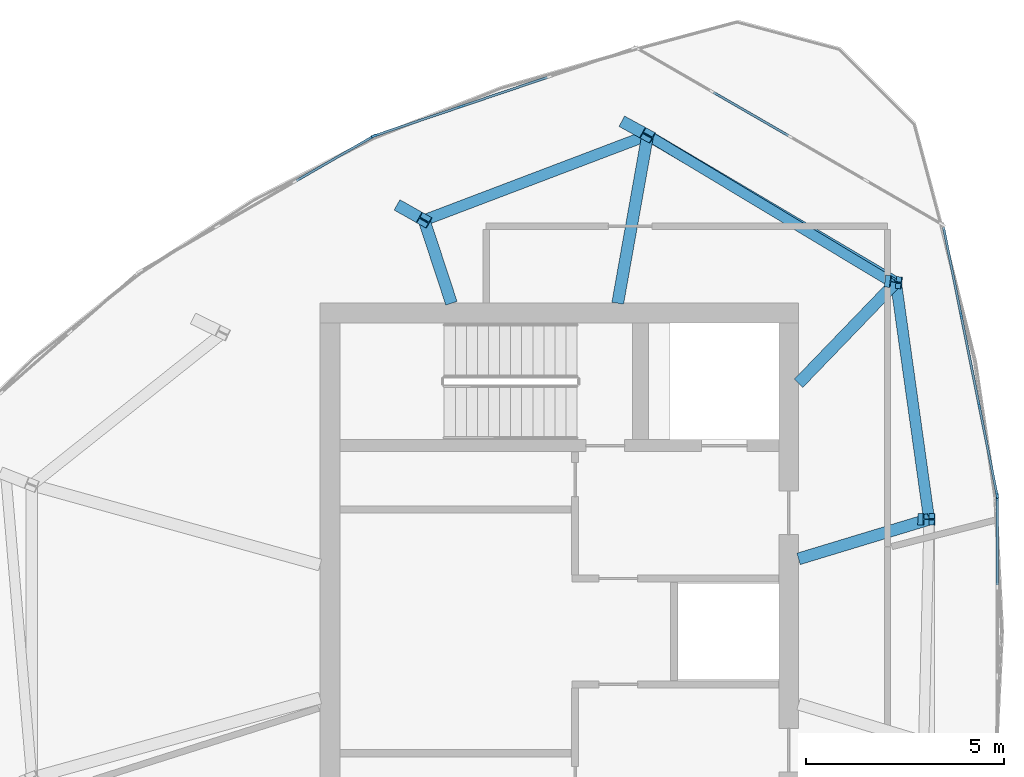
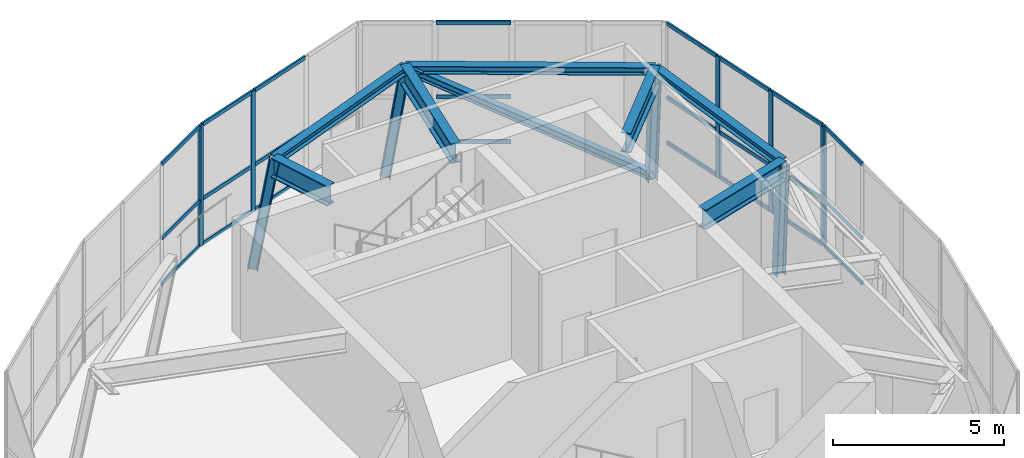
# One storey, part 4 of 11: 39 members, 4 beams, 5 elements without a shape of their own.
"""IFC4 building model written with IfcOpenShell, lengths in metres."""

from ifc_helpers import new_model, si_unit, direction, frame, origin, origin_2d, place, context, subcontext, project, spatial, rectangle, i_section, extrude, source, transform, mapped, material, layer, layer_set, material_profile, profile_set, type_object, element, aggregate, save


model = new_model("IFC4")

# Units and contexts
model_context = context("Model", 3, precision=1e-05, world=origin(), true_north=direction((0.0, 1.0)))
body_context = subcontext(model_context, "Body", "Model", "MODEL_VIEW")
ifc_project = project(units=[si_unit("LENGTHUNIT", "METRE"), si_unit("AREAUNIT", "SQUARE_METRE"), si_unit("VOLUMEUNIT", "CUBIC_METRE"), si_unit("PLANEANGLEUNIT", "RADIAN"), si_unit("MASSUNIT", "GRAM", prefix="KILO")], contexts=[model_context])

# Site, building, storey
site_placement = place(None, origin())
site = spatial("IfcSite", under=ifc_project, at=site_placement, CompositionType="ELEMENT")
building_placement = place(site_placement, origin())
building = spatial("IfcBuilding", under=site, at=building_placement, Name="Qafzar Sky-Pleat Residences", CompositionType="ELEMENT")
storey_placement = place(building_placement, frame((0.0, 0.0, 257.5)))
storey = spatial("IfcBuildingStorey", under=building, at=storey_placement, Name="L77 Crown", CompositionType="ELEMENT", Elevation=257.5)

# Members
ifc_material_1 = material(Name="Steel S460", Category="steel")
ifc_material_profile_1 = material_profile(ifc_material_1, i_section(OverallWidth=0.300048828125, OverallDepth=0.300048828125, WebThickness=0.010986328125, FlangeThickness=0.01904296875, FilletRadius=0.027099609375, at=origin_2d()), Name="HEB 300")
ifc_profile_set_1 = profile_set([ifc_material_profile_1], Name="Steel S460")
member_type_1 = type_object("IfcMemberType", Name="MEM-CROWN-RIB", PredefinedType="CHORD", material=ifc_profile_set_1)
shared_shape_1 = source(origin(), body_context, "Body", "SweptSolid", [
    extrude(i_section(OverallWidth=0.300048828125, OverallDepth=0.300048828125, WebThickness=0.010986328125, FlangeThickness=0.01904296875, FilletRadius=0.027099609375, at=origin_2d()), origin(), (0.0, 0.0, 1.0), 3.898193359375),
])
member_1_placement = place(storey_placement, frame((38.73291015625, 34.844970703125, 0.0), z_axis=(0.033318716266, -0.00413352495, 0.99943622964), x_axis=(0.123116331212, 0.99239224553, 0.0)))
element("IfcMember", 1, at=member_1_placement, inside=storey, type_object=member_type_1, Name="L77 Crown CROWN FRAME Inclined Rib 9", PredefinedType="CHORD", context=body_context, shape_type="MappedRepresentation", body=[
    mapped(shared_shape_1, transform((0.0, 0.0, 0.0), x_axis=(1.0, 0.0, 0.0), y_axis=(0.0, 1.0, 0.0), z_axis=(0.0, 0.0, 1.0), scale=1.0)),
])
shared_shape_2 = source(origin(), body_context, "Body", "SweptSolid", [
    extrude(i_section(OverallWidth=0.300048828125, OverallDepth=0.300048828125, WebThickness=0.010986328125, FlangeThickness=0.01904296875, FilletRadius=0.027099609375, at=origin_2d()), origin(), (0.0, 0.0, 1.0), 3.8984375),
])
member_2_placement = place(storey_placement, frame((39.564453125, 28.838134765625, 0.0), z_axis=(0.034945429774, -0.000250504873, 0.999389190549), x_axis=(0.007168274606, 0.99997430759, 0.0)))
element("IfcMember", 2, at=member_2_placement, inside=storey, type_object=member_type_1, Name="L77 Crown CROWN FRAME Inclined Rib 8", PredefinedType="CHORD", context=body_context, shape_type="MappedRepresentation", body=[
    mapped(shared_shape_2, transform((0.0, 0.0, 0.0), x_axis=(1.0, 0.0, 0.0), y_axis=(0.0, 1.0, 0.0), z_axis=(0.0, 0.0, 1.0), scale=1.0)),
])
shared_shape_3 = source(origin(), body_context, "Body", "SweptSolid", [
    extrude(i_section(OverallWidth=0.300048828125, OverallDepth=0.300048828125, WebThickness=0.010986328125, FlangeThickness=0.01904296875, FilletRadius=0.027099609375, at=origin_2d()), origin(), (0.0, 0.0, 1.0), 3.9482421875),
])
member_3_placement = place(storey_placement, frame((26.375244140625, 36.7138671875, 0.0), z_axis=(0.141291723016, -0.079704608739, 0.986754186387), x_axis=(0.491328601201, 0.870974285293, 0.0)))
element("IfcMember", 3, at=member_3_placement, inside=storey, type_object=member_type_1, Name="L77 Crown CROWN FRAME Inclined Rib 11", PredefinedType="CHORD", context=body_context, shape_type="MappedRepresentation", body=[
    mapped(shared_shape_3, transform((0.0, 0.0, 0.0), x_axis=(1.0, 0.0, 0.0), y_axis=(0.0, 1.0, 0.0), z_axis=(0.0, 0.0, 1.0), scale=1.0)),
])
shared_shape_4 = source(origin(), body_context, "Body", "SweptSolid", [
    extrude(i_section(OverallWidth=0.300048828125, OverallDepth=0.300048828125, WebThickness=0.010986328125, FlangeThickness=0.01904296875, FilletRadius=0.027099609375, at=origin_2d()), origin(), (0.0, 0.0, 1.0), 3.941162109375),
])
member_4_placement = place(storey_placement, frame((32.060302734375, 38.830078125, 0.0), z_axis=(0.132627121481, -0.07210554386, 0.98853974993), x_axis=(0.477644159148, 0.878553388948, 0.0)))
element("IfcMember", 4, at=member_4_placement, inside=storey, type_object=member_type_1, Name="L77 Crown CROWN FRAME Inclined Rib 10", PredefinedType="CHORD", context=body_context, shape_type="MappedRepresentation", body=[
    mapped(shared_shape_4, transform((0.0, 0.0, 0.0), x_axis=(1.0, 0.0, 0.0), y_axis=(0.0, 1.0, 0.0), z_axis=(0.0, 0.0, 1.0), scale=1.0)),
])
ifc_material_2 = material(Name="Steel S355", Category="steel")
ifc_material_profile_2 = material_profile(ifc_material_2, i_section(OverallWidth=0.280029296875, OverallDepth=0.280029296875, WebThickness=0.010498046875, FlangeThickness=0.01806640625, FilletRadius=0.02392578125, at=origin_2d()), Name="HEB 280")
ifc_profile_set_2 = profile_set([ifc_material_profile_2], Name="Steel S355")
member_type_2 = type_object("IfcMemberType", Name="MEM-CROWN-RING", PredefinedType="PURLIN", material=ifc_profile_set_2)
shared_shape_5 = source(origin(), body_context, "Body", "SweptSolid", [
    extrude(i_section(OverallWidth=0.280029296875, OverallDepth=0.280029296875, WebThickness=0.010498046875, FlangeThickness=0.01806640625, FilletRadius=0.02392578125, at=origin_2d()), origin(), (0.0, 0.0, 1.0), 6.0439453125),
])
member_5_placement = place(storey_placement, frame((32.5830078125, 38.5458984375, 3.906005859375), z_axis=(-0.934796456335, -0.355183875229, 0.0), x_axis=(0.355183875229, -0.934796456335, 0.0)))
element("IfcMember", 5, at=member_5_placement, inside=storey, type_object=member_type_2, Name="L77 Crown CROWN FRAME Ring Beam 10", PredefinedType="PURLIN", context=body_context, shape_type="MappedRepresentation", body=[
    mapped(shared_shape_5, transform((0.0, 0.0, 0.0), x_axis=(1.0, 0.0, 0.0), y_axis=(0.0, 1.0, 0.0), z_axis=(0.0, 0.0, 1.0), scale=1.0)),
])
shared_shape_6 = source(origin(), body_context, "Body", "SweptSolid", [
    extrude(i_section(OverallWidth=0.280029296875, OverallDepth=0.280029296875, WebThickness=0.010498046875, FlangeThickness=0.01806640625, FilletRadius=0.02392578125, at=origin_2d()), origin(), (0.0, 0.0, 1.0), 7.29736328125),
])
member_6_placement = place(storey_placement, frame((38.86279296875, 34.828857421875, 3.906005859375), z_axis=(-0.860550645599, 0.509364885283, 0.0), x_axis=(-0.509364885283, -0.860550645599, 0.0)))
element("IfcMember", 6, at=member_6_placement, inside=storey, type_object=member_type_2, Name="L77 Crown CROWN FRAME Ring Beam 9", PredefinedType="PURLIN", context=body_context, shape_type="MappedRepresentation", body=[
    mapped(shared_shape_6, transform((0.0, 0.0, 0.0), x_axis=(1.0, 0.0, 0.0), y_axis=(0.0, 1.0, 0.0), z_axis=(0.0, 0.0, 1.0), scale=1.0)),
])
shared_shape_7 = source(origin(), body_context, "Body", "SweptSolid", [
    extrude(i_section(OverallWidth=0.280029296875, OverallDepth=0.280029296875, WebThickness=0.010498046875, FlangeThickness=0.01806640625, FilletRadius=0.02392578125, at=origin_2d()), origin(), (0.0, 0.0, 1.0), 6.050048828125),
])
member_7_placement = place(storey_placement, frame((39.70068359375, 28.837158203125, 3.906005859375), z_axis=(-0.138494279914, 0.990363233582, 0.0), x_axis=(-0.990363233582, -0.138494279914, 0.0)))
element("IfcMember", 7, at=member_7_placement, inside=storey, type_object=member_type_2, Name="L77 Crown CROWN FRAME Ring Beam 8", PredefinedType="PURLIN", context=body_context, shape_type="MappedRepresentation", body=[
    mapped(shared_shape_7, transform((0.0, 0.0, 0.0), x_axis=(1.0, 0.0, 0.0), y_axis=(0.0, 1.0, 0.0), z_axis=(0.0, 0.0, 1.0), scale=1.0)),
])
ifc_material_profile_3 = material_profile(ifc_material_2, i_section(OverallWidth=0.260009765625, OverallDepth=0.260009765625, WebThickness=0.010009765625, FlangeThickness=0.017578125, FilletRadius=0.02392578125, at=origin_2d()), Name="HEB 260")
ifc_profile_set_3 = profile_set([ifc_material_profile_3], Name="Steel S355")
member_type_3 = type_object("IfcMemberType", Name="MEM-CROWN-DIAG", PredefinedType="BRACE", material=ifc_profile_set_3)
shared_shape_8 = source(origin(), body_context, "Body", "SweptSolid", [
    extrude(i_section(OverallWidth=0.260009765625, OverallDepth=0.260009765625, WebThickness=0.010009765625, FlangeThickness=0.017578125, FilletRadius=0.02392578125, at=origin_2d()), origin(), (0.0, 0.0, 1.0), 8.08251953125),
])
member_8_placement = place(storey_placement, frame((38.73291015625, 34.844970703125, 0.199951171875), z_axis=(-0.760888228291, 0.457892205346, 0.459764975102), x_axis=(-0.515620781083, -0.85681690583, 0.0)))
element("IfcMember", 8, at=member_8_placement, inside=storey, type_object=member_type_3, Name="L77 Crown CROWN FRAME Wind Brace 9", PredefinedType="BRACE", context=body_context, shape_type="MappedRepresentation", body=[
    mapped(shared_shape_8, transform((0.0, 0.0, 0.0), x_axis=(1.0, 0.0, 0.0), y_axis=(0.0, 1.0, 0.0), z_axis=(0.0, 0.0, 1.0), scale=1.0)),
])

# Beams
ifc_material_profile_4 = material_profile(ifc_material_1, i_section(OverallWidth=0.300048828125, OverallDepth=0.699951171875, WebThickness=0.01708984375, FlangeThickness=0.031982421875, FilletRadius=0.027099609375, at=origin_2d()), Name="HEB 700")
ifc_profile_set_4 = profile_set([ifc_material_profile_4], Name="Steel S460")
beam_type = type_object("IfcBeamType", Name="BM-CHORD-HEB700", PredefinedType="BEAM", material=ifc_profile_set_4)
shared_shape_9 = source(origin(), body_context, "Body", "SweptSolid", [
    extrude(i_section(OverallWidth=0.300048828125, OverallDepth=0.699951171875, WebThickness=0.01708984375, FlangeThickness=0.031982421875, FilletRadius=0.027099609375, at=origin_2d()), origin(), (0.0, 0.0, 1.0), 2.20947265625),
])
beam_1_placement = place(storey_placement, frame((26.93310546875, 36.399169921875, 3.697998046875), z_axis=(0.312147590213, -0.95003362147, 0.0), x_axis=(0.95003362147, 0.312147590213, 0.0)))
element("IfcBeam", 9, at=beam_1_placement, inside=storey, type_object=beam_type, Name="L78 Crown Crown Rib Base Transfer Beam 11", PredefinedType="BEAM", context=body_context, shape_type="MappedRepresentation", body=[
    mapped(shared_shape_9, transform((0.0, 0.0, 0.0), x_axis=(1.0, 0.0, 0.0), y_axis=(0.0, 1.0, 0.0), z_axis=(0.0, 0.0, 1.0), scale=1.0)),
])
shared_shape_10 = source(origin(), body_context, "Body", "SweptSolid", [
    extrude(i_section(OverallWidth=0.300048828125, OverallDepth=0.699951171875, WebThickness=0.01708984375, FlangeThickness=0.031982421875, FilletRadius=0.027099609375, at=origin_2d()), origin(), (0.0, 0.0, 1.0), 4.3125),
])
beam_2_placement = place(storey_placement, frame((32.5830078125, 38.5458984375, 3.697998046875), z_axis=(-0.175212597054, -0.98453062209, 0.0), x_axis=(0.98453062209, -0.175212597054, 0.0)))
element("IfcBeam", 10, at=beam_2_placement, inside=storey, type_object=beam_type, Name="L78 Crown Crown Rib Base Transfer Beam 10", PredefinedType="BEAM", context=body_context, shape_type="MappedRepresentation", body=[
    mapped(shared_shape_10, transform((0.0, 0.0, 0.0), x_axis=(1.0, 0.0, 0.0), y_axis=(0.0, 1.0, 0.0), z_axis=(0.0, 0.0, 1.0), scale=1.0)),
])
shared_shape_11 = source(origin(), body_context, "Body", "SweptSolid", [
    extrude(i_section(OverallWidth=0.300048828125, OverallDepth=0.699951171875, WebThickness=0.01708984375, FlangeThickness=0.031982421875, FilletRadius=0.027099609375, at=origin_2d()), origin(), (0.0, 0.0, 1.0), 3.548095703125),
])
beam_3_placement = place(storey_placement, frame((38.86279296875, 34.828857421875, 3.697998046875), z_axis=(-0.6941228369, -0.719856574113, 0.0), x_axis=(0.719856574113, -0.6941228369, 0.0)))
element("IfcBeam", 11, at=beam_3_placement, inside=storey, type_object=beam_type, Name="L78 Crown Crown Rib Base Transfer Beam 9", PredefinedType="BEAM", context=body_context, shape_type="MappedRepresentation", body=[
    mapped(shared_shape_11, transform((0.0, 0.0, 0.0), x_axis=(1.0, 0.0, 0.0), y_axis=(0.0, 1.0, 0.0), z_axis=(0.0, 0.0, 1.0), scale=1.0)),
])
shared_shape_12 = source(origin(), body_context, "Body", "SweptSolid", [
    extrude(i_section(OverallWidth=0.300048828125, OverallDepth=0.699951171875, WebThickness=0.01708984375, FlangeThickness=0.031982421875, FilletRadius=0.027099609375, at=origin_2d()), origin(), (0.0, 0.0, 1.0), 3.449462890625),
])
beam_4_placement = place(storey_placement, frame((39.70068359375, 28.837158203125, 3.697998046875), z_axis=(-0.956925532783, -0.290333471559, 0.0), x_axis=(0.290333471559, -0.956925532783, 0.0)))
element("IfcBeam", 12, at=beam_4_placement, inside=storey, type_object=beam_type, Name="L78 Crown Crown Rib Base Transfer Beam 8", PredefinedType="BEAM", context=body_context, shape_type="MappedRepresentation", body=[
    mapped(shared_shape_12, transform((0.0, 0.0, 0.0), x_axis=(1.0, 0.0, 0.0), y_axis=(0.0, 1.0, 0.0), z_axis=(0.0, 0.0, 1.0), scale=1.0)),
])

# Curtain wall, member
ifc_material_3 = material(Name="Anodised bronze aluminium framing", Category="aluminium")
ifc_layer = layer(ifc_material_3, 0.179931640625)
ifc_layer_set = layer_set([ifc_layer], Name="Anodised bronze aluminium framing")
curtain_wall_type = type_object("IfcCurtainWallType", Name="CW-SYS-06", PredefinedType="NOTDEFINED", material=ifc_layer_set)
curtain_wall_1_placement = place(storey_placement, origin())
curtain_wall_1 = element("IfcCurtainWall", 13, at=curtain_wall_1_placement, inside=storey, type_object=curtain_wall_type, Name="L77 Crown CW-06 Curtain Wall CW-CROWN-02-07", PredefinedType="NOTDEFINED")
ifc_material_4 = material(Name="Anodised bronze aluminium", Category="aluminium")
ifc_material_profile_5 = material_profile(ifc_material_4, rectangle(XDim=0.06005859375, YDim=0.179931640625, at=origin_2d()), Name="ALU MULLION 60x180")
ifc_profile_set_5 = profile_set([ifc_material_profile_5], Name="Anodised bronze aluminium")
member_type_4 = type_object("IfcMemberType", Name="CWM-06", PredefinedType="MULLION", material=ifc_profile_set_5)
shared_shape_13 = source(origin(), body_context, "Body", "SweptSolid", [
    extrude(rectangle(XDim=0.06005859375, YDim=0.179931640625, at=origin_2d()), origin(), (0.0, 0.0, 1.0), 4.300048828125),
])
member_9_placement = place(storey_placement, frame((41.423583984375, 29.396728515625, 0.0), z_axis=(0.0, 0.0, 1.0), x_axis=(-1.0, 0.0, 0.0)))
member_9 = element("IfcMember", 14, at=member_9_placement, type_object=member_type_4, Name="CW-06 mullion 4", PredefinedType="MULLION", context=body_context, shape_type="MappedRepresentation", body=[
    mapped(shared_shape_13, transform((0.0, 0.0, 0.0), x_axis=(1.0, 0.0, 0.0), y_axis=(0.0, 1.0, 0.0), z_axis=(0.0, 0.0, 1.0), scale=1.0)),
])

# Curtain wall, members
curtain_wall_2_placement = place(storey_placement, origin())
curtain_wall_2 = element("IfcCurtainWall", 15, at=curtain_wall_2_placement, inside=storey, type_object=curtain_wall_type, Name="L77 Crown CW-06 Curtain Wall CW-CROWN-02-08", PredefinedType="NOTDEFINED")
member_10_placement = place(storey_placement, frame((41.417724609375, 29.456298828125, 0.0), z_axis=(0.0, 0.0, 1.0), x_axis=(-0.980578474476, -0.196127140892, 0.0)))
member_10 = element("IfcMember", 16, at=member_10_placement, type_object=member_type_4, Name="CW-06 mullion 1", PredefinedType="MULLION", context=body_context, shape_type="MappedRepresentation", body=[
    mapped(shared_shape_13, transform((0.0, 0.0, 0.0), x_axis=(1.0, 0.0, 0.0), y_axis=(0.0, 1.0, 0.0), z_axis=(0.0, 0.0, 1.0), scale=1.0)),
])
member_11_placement = place(storey_placement, frame((40.966552734375, 31.71142578125, 0.0), z_axis=(0.0, 0.0, 1.0), x_axis=(-0.980578474476, -0.196127140892, 0.0)))
member_11 = element("IfcMember", 17, at=member_11_placement, type_object=member_type_4, Name="CW-06 mullion 2", PredefinedType="MULLION", context=body_context, shape_type="MappedRepresentation", body=[
    mapped(shared_shape_13, transform((0.0, 0.0, 0.0), x_axis=(1.0, 0.0, 0.0), y_axis=(0.0, 1.0, 0.0), z_axis=(0.0, 0.0, 1.0), scale=1.0)),
])
member_12_placement = place(storey_placement, frame((40.509521484375, 33.995849609375, 0.0), z_axis=(0.0, 0.0, 1.0), x_axis=(-0.980578474476, -0.196127140892, 0.0)))
member_12 = element("IfcMember", 18, at=member_12_placement, type_object=member_type_4, Name="CW-06 mullion 3", PredefinedType="MULLION", context=body_context, shape_type="MappedRepresentation", body=[
    mapped(shared_shape_13, transform((0.0, 0.0, 0.0), x_axis=(1.0, 0.0, 0.0), y_axis=(0.0, 1.0, 0.0), z_axis=(0.0, 0.0, 1.0), scale=1.0)),
])

curtain_wall_3_placement = place(storey_placement, origin())
curtain_wall_3 = element("IfcCurtainWall", 19, at=curtain_wall_3_placement, inside=storey, type_object=curtain_wall_type, Name="L77 Crown CW-06 Curtain Wall CW-CROWN-02-10", PredefinedType="NOTDEFINED")
member_13_placement = place(storey_placement, frame((27.866943359375, 39.2744140625, 0.0), z_axis=(0.0, 0.0, 1.0), x_axis=(0.320448247802, -0.947266024135, 0.0)))
member_13 = element("IfcMember", 20, at=member_13_placement, type_object=member_type_4, Name="CW-06 mullion 3", PredefinedType="MULLION", context=body_context, shape_type="MappedRepresentation", body=[
    mapped(shared_shape_13, transform((0.0, 0.0, 0.0), x_axis=(1.0, 0.0, 0.0), y_axis=(0.0, 1.0, 0.0), z_axis=(0.0, 0.0, 1.0), scale=1.0)),
])
member_14_placement = place(storey_placement, frame((25.6884765625, 38.53759765625, 0.0), z_axis=(0.0, 0.0, 1.0), x_axis=(0.320448247802, -0.947266024135, 0.0)))
member_14 = element("IfcMember", 21, at=member_14_placement, type_object=member_type_4, Name="CW-06 mullion 4", PredefinedType="MULLION", context=body_context, shape_type="MappedRepresentation", body=[
    mapped(shared_shape_13, transform((0.0, 0.0, 0.0), x_axis=(1.0, 0.0, 0.0), y_axis=(0.0, 1.0, 0.0), z_axis=(0.0, 0.0, 1.0), scale=1.0)),
])

# Curtain wall, member
curtain_wall_4_placement = place(storey_placement, origin())
curtain_wall_4 = element("IfcCurtainWall", 22, at=curtain_wall_4_placement, inside=storey, type_object=curtain_wall_type, Name="L77 Crown CW-06 Curtain Wall CW-CROWN-02-11", PredefinedType="NOTDEFINED")
member_15_placement = place(storey_placement, frame((25.634033203125, 38.512939453125, 0.0), z_axis=(0.0, 0.0, 1.0), x_axis=(0.499999476069, -0.866025706276, 0.0)))
member_15 = element("IfcMember", 23, at=member_15_placement, type_object=member_type_4, Name="CW-06 mullion 1", PredefinedType="MULLION", context=body_context, shape_type="MappedRepresentation", body=[
    mapped(shared_shape_13, transform((0.0, 0.0, 0.0), x_axis=(1.0, 0.0, 0.0), y_axis=(0.0, 1.0, 0.0), z_axis=(0.0, 0.0, 1.0), scale=1.0)),
])

# Member
ifc_material_profile_6 = material_profile(ifc_material_4, rectangle(XDim=0.06005859375, YDim=0.135009765625, at=origin_2d()), Name="ALU TRANSOM 60x135")
ifc_profile_set_6 = profile_set([ifc_material_profile_6], Name="Anodised bronze aluminium")
member_type_5 = type_object("IfcMemberType", Name="CWT-06", PredefinedType="USERDEFINED", material=ifc_profile_set_6)
shared_shape_14 = source(origin(), body_context, "Body", "SweptSolid", [
    extrude(rectangle(XDim=0.06005859375, YDim=0.135009765625, at=origin_2d()), origin(), (0.0, 0.0, 1.0), 2.23974609375),
])
member_16_placement = place(storey_placement, frame((41.41162109375, 29.485595703125, 0.030029296875), z_axis=(-0.196095173109, 0.980584867864, 0.0), x_axis=(-0.980584867864, -0.196095173109, 0.0)))
member_16 = element("IfcMember", 24, at=member_16_placement, type_object=member_type_5, Name="CW-06 transom 1.1", ObjectType="TRANSOM", PredefinedType="USERDEFINED", context=body_context, shape_type="MappedRepresentation", body=[
    mapped(shared_shape_14, transform((0.0, 0.0, 0.0), x_axis=(1.0, 0.0, 0.0), y_axis=(0.0, 1.0, 0.0), z_axis=(0.0, 0.0, 1.0), scale=1.0)),
])

member_17_placement = place(storey_placement, frame((41.41162109375, 29.485595703125, 1.634033203125), z_axis=(-0.196095173109, 0.980584867864, 0.0), x_axis=(-0.980584867864, -0.196095173109, 0.0)))
member_17 = element("IfcMember", 25, at=member_17_placement, type_object=member_type_5, Name="CW-06 transom 1.2", ObjectType="TRANSOM", PredefinedType="USERDEFINED", context=body_context, shape_type="MappedRepresentation", body=[
    mapped(shared_shape_14, transform((0.0, 0.0, 0.0), x_axis=(1.0, 0.0, 0.0), y_axis=(0.0, 1.0, 0.0), z_axis=(0.0, 0.0, 1.0), scale=1.0)),
])

member_18_placement = place(storey_placement, frame((41.41162109375, 29.485595703125, 4.27001953125), z_axis=(-0.196095173109, 0.980584867864, 0.0), x_axis=(-0.980584867864, -0.196095173109, 0.0)))
member_18 = element("IfcMember", 26, at=member_18_placement, type_object=member_type_5, Name="CW-06 transom 1.3", ObjectType="TRANSOM", PredefinedType="USERDEFINED", context=body_context, shape_type="MappedRepresentation", body=[
    mapped(shared_shape_14, transform((0.0, 0.0, 0.0), x_axis=(1.0, 0.0, 0.0), y_axis=(0.0, 1.0, 0.0), z_axis=(0.0, 0.0, 1.0), scale=1.0)),
])

member_19_placement = place(storey_placement, frame((40.503662109375, 34.025390625, 0.030029296875), z_axis=(-0.196095173109, 0.980584867864, 0.0), x_axis=(-0.980584867864, -0.196095173109, 0.0)))
member_19 = element("IfcMember", 27, at=member_19_placement, type_object=member_type_5, Name="CW-06 transom 3.1", ObjectType="TRANSOM", PredefinedType="USERDEFINED", context=body_context, shape_type="MappedRepresentation", body=[
    mapped(shared_shape_14, transform((0.0, 0.0, 0.0), x_axis=(1.0, 0.0, 0.0), y_axis=(0.0, 1.0, 0.0), z_axis=(0.0, 0.0, 1.0), scale=1.0)),
])

member_20_placement = place(storey_placement, frame((40.503662109375, 34.025390625, 1.634033203125), z_axis=(-0.196095173109, 0.980584867864, 0.0), x_axis=(-0.980584867864, -0.196095173109, 0.0)))
member_20 = element("IfcMember", 28, at=member_20_placement, type_object=member_type_5, Name="CW-06 transom 3.2", ObjectType="TRANSOM", PredefinedType="USERDEFINED", context=body_context, shape_type="MappedRepresentation", body=[
    mapped(shared_shape_14, transform((0.0, 0.0, 0.0), x_axis=(1.0, 0.0, 0.0), y_axis=(0.0, 1.0, 0.0), z_axis=(0.0, 0.0, 1.0), scale=1.0)),
])

member_21_placement = place(storey_placement, frame((40.503662109375, 34.025390625, 4.27001953125), z_axis=(-0.196095173109, 0.980584867864, 0.0), x_axis=(-0.980584867864, -0.196095173109, 0.0)))
member_21 = element("IfcMember", 29, at=member_21_placement, type_object=member_type_5, Name="CW-06 transom 3.3", ObjectType="TRANSOM", PredefinedType="USERDEFINED", context=body_context, shape_type="MappedRepresentation", body=[
    mapped(shared_shape_14, transform((0.0, 0.0, 0.0), x_axis=(1.0, 0.0, 0.0), y_axis=(0.0, 1.0, 0.0), z_axis=(0.0, 0.0, 1.0), scale=1.0)),
])

member_22_placement = place(storey_placement, frame((27.83837890625, 39.264892578125, 0.030029296875), z_axis=(-0.947256702943, -0.320475800535, 0.0), x_axis=(0.320475800535, -0.947256702943, 0.0)))
member_22 = element("IfcMember", 30, at=member_22_placement, type_object=member_type_5, Name="CW-06 transom 3.1", ObjectType="TRANSOM", PredefinedType="USERDEFINED", context=body_context, shape_type="MappedRepresentation", body=[
    mapped(shared_shape_14, transform((0.0, 0.0, 0.0), x_axis=(1.0, 0.0, 0.0), y_axis=(0.0, 1.0, 0.0), z_axis=(0.0, 0.0, 1.0), scale=1.0)),
])

member_23_placement = place(storey_placement, frame((27.83837890625, 39.264892578125, 1.634033203125), z_axis=(-0.947256702943, -0.320475800535, 0.0), x_axis=(0.320475800535, -0.947256702943, 0.0)))
member_23 = element("IfcMember", 31, at=member_23_placement, type_object=member_type_5, Name="CW-06 transom 3.2", ObjectType="TRANSOM", PredefinedType="USERDEFINED", context=body_context, shape_type="MappedRepresentation", body=[
    mapped(shared_shape_14, transform((0.0, 0.0, 0.0), x_axis=(1.0, 0.0, 0.0), y_axis=(0.0, 1.0, 0.0), z_axis=(0.0, 0.0, 1.0), scale=1.0)),
])

member_24_placement = place(storey_placement, frame((27.83837890625, 39.264892578125, 4.27001953125), z_axis=(-0.947256702943, -0.320475800535, 0.0), x_axis=(0.320475800535, -0.947256702943, 0.0)))
member_24 = element("IfcMember", 32, at=member_24_placement, type_object=member_type_5, Name="CW-06 transom 3.3", ObjectType="TRANSOM", PredefinedType="USERDEFINED", context=body_context, shape_type="MappedRepresentation", body=[
    mapped(shared_shape_14, transform((0.0, 0.0, 0.0), x_axis=(1.0, 0.0, 0.0), y_axis=(0.0, 1.0, 0.0), z_axis=(0.0, 0.0, 1.0), scale=1.0)),
])

shared_shape_15 = source(origin(), body_context, "Body", "SweptSolid", [
    extrude(rectangle(XDim=0.06005859375, YDim=0.135009765625, at=origin_2d()), origin(), (0.0, 0.0, 1.0), 2.269775390625),
])
member_25_placement = place(storey_placement, frame((40.960693359375, 31.74072265625, 0.030029296875), z_axis=(-0.196074767234, 0.980588948364, 0.0), x_axis=(-0.980588948364, -0.196074767234, 0.0)))
member_25 = element("IfcMember", 33, at=member_25_placement, type_object=member_type_5, Name="CW-06 transom 2.1", ObjectType="TRANSOM", PredefinedType="USERDEFINED", context=body_context, shape_type="MappedRepresentation", body=[
    mapped(shared_shape_15, transform((0.0, 0.0, 0.0), x_axis=(1.0, 0.0, 0.0), y_axis=(0.0, 1.0, 0.0), z_axis=(0.0, 0.0, 1.0), scale=1.0)),
])

member_26_placement = place(storey_placement, frame((40.960693359375, 31.74072265625, 1.634033203125), z_axis=(-0.196074767234, 0.980588948364, 0.0), x_axis=(-0.980588948364, -0.196074767234, 0.0)))
member_26 = element("IfcMember", 34, at=member_26_placement, type_object=member_type_5, Name="CW-06 transom 2.2", ObjectType="TRANSOM", PredefinedType="USERDEFINED", context=body_context, shape_type="MappedRepresentation", body=[
    mapped(shared_shape_15, transform((0.0, 0.0, 0.0), x_axis=(1.0, 0.0, 0.0), y_axis=(0.0, 1.0, 0.0), z_axis=(0.0, 0.0, 1.0), scale=1.0)),
])

member_27_placement = place(storey_placement, frame((40.960693359375, 31.74072265625, 4.27001953125), z_axis=(-0.196074767234, 0.980588948364, 0.0), x_axis=(-0.980588948364, -0.196074767234, 0.0)))
member_27 = element("IfcMember", 35, at=member_27_placement, type_object=member_type_5, Name="CW-06 transom 2.3", ObjectType="TRANSOM", PredefinedType="USERDEFINED", context=body_context, shape_type="MappedRepresentation", body=[
    mapped(shared_shape_15, transform((0.0, 0.0, 0.0), x_axis=(1.0, 0.0, 0.0), y_axis=(0.0, 1.0, 0.0), z_axis=(0.0, 0.0, 1.0), scale=1.0)),
])

aggregate(curtain_wall_2, [member_10, member_11, member_12, member_16, member_17, member_18, member_25, member_26, member_27, member_19, member_20, member_21])

member_28_placement = place(storey_placement, frame((30.04541015625, 40.011474609375, 0.030029296875), z_axis=(-0.94727575147, -0.320419491726, 0.0), x_axis=(0.320419491726, -0.94727575147, 0.0)))
member_28 = element("IfcMember", 36, at=member_28_placement, type_object=member_type_5, Name="CW-06 transom 2.1", ObjectType="TRANSOM", PredefinedType="USERDEFINED", context=body_context, shape_type="MappedRepresentation", body=[
    mapped(shared_shape_15, transform((0.0, 0.0, 0.0), x_axis=(1.0, 0.0, 0.0), y_axis=(0.0, 1.0, 0.0), z_axis=(0.0, 0.0, 1.0), scale=1.0)),
])

member_29_placement = place(storey_placement, frame((30.04541015625, 40.011474609375, 1.634033203125), z_axis=(-0.94727575147, -0.320419491726, 0.0), x_axis=(0.320419491726, -0.94727575147, 0.0)))
member_29 = element("IfcMember", 37, at=member_29_placement, type_object=member_type_5, Name="CW-06 transom 2.2", ObjectType="TRANSOM", PredefinedType="USERDEFINED", context=body_context, shape_type="MappedRepresentation", body=[
    mapped(shared_shape_15, transform((0.0, 0.0, 0.0), x_axis=(1.0, 0.0, 0.0), y_axis=(0.0, 1.0, 0.0), z_axis=(0.0, 0.0, 1.0), scale=1.0)),
])

member_30_placement = place(storey_placement, frame((30.04541015625, 40.011474609375, 4.27001953125), z_axis=(-0.94727575147, -0.320419491726, 0.0), x_axis=(0.320419491726, -0.94727575147, 0.0)))
member_30 = element("IfcMember", 38, at=member_30_placement, type_object=member_type_5, Name="CW-06 transom 2.3", ObjectType="TRANSOM", PredefinedType="USERDEFINED", context=body_context, shape_type="MappedRepresentation", body=[
    mapped(shared_shape_15, transform((0.0, 0.0, 0.0), x_axis=(1.0, 0.0, 0.0), y_axis=(0.0, 1.0, 0.0), z_axis=(0.0, 0.0, 1.0), scale=1.0)),
])

aggregate(curtain_wall_3, [member_13, member_14, member_28, member_29, member_30, member_22, member_23, member_24])

shared_shape_16 = source(origin(), body_context, "Body", "SweptSolid", [
    extrude(rectangle(XDim=0.06005859375, YDim=0.135009765625, at=origin_2d()), origin(), (0.0, 0.0, 1.0), 2.1943359375),
])
member_31_placement = place(storey_placement, frame((41.423583984375, 27.17236328125, 0.030029296875), z_axis=(0.0, 1.0, 0.0), x_axis=(-1.0, 0.0, 0.0)))
member_31 = element("IfcMember", 39, at=member_31_placement, type_object=member_type_5, Name="CW-06 transom 3.1", ObjectType="TRANSOM", PredefinedType="USERDEFINED", context=body_context, shape_type="MappedRepresentation", body=[
    mapped(shared_shape_16, transform((0.0, 0.0, 0.0), x_axis=(1.0, 0.0, 0.0), y_axis=(0.0, 1.0, 0.0), z_axis=(0.0, 0.0, 1.0), scale=1.0)),
])

member_32_placement = place(storey_placement, frame((41.423583984375, 27.17236328125, 1.634033203125), z_axis=(0.0, 1.0, 0.0), x_axis=(-1.0, 0.0, 0.0)))
member_32 = element("IfcMember", 40, at=member_32_placement, type_object=member_type_5, Name="CW-06 transom 3.2", ObjectType="TRANSOM", PredefinedType="USERDEFINED", context=body_context, shape_type="MappedRepresentation", body=[
    mapped(shared_shape_16, transform((0.0, 0.0, 0.0), x_axis=(1.0, 0.0, 0.0), y_axis=(0.0, 1.0, 0.0), z_axis=(0.0, 0.0, 1.0), scale=1.0)),
])

member_33_placement = place(storey_placement, frame((41.423583984375, 27.17236328125, 4.27001953125), z_axis=(0.0, 1.0, 0.0), x_axis=(-1.0, 0.0, 0.0)))
member_33 = element("IfcMember", 41, at=member_33_placement, type_object=member_type_5, Name="CW-06 transom 3.3", ObjectType="TRANSOM", PredefinedType="USERDEFINED", context=body_context, shape_type="MappedRepresentation", body=[
    mapped(shared_shape_16, transform((0.0, 0.0, 0.0), x_axis=(1.0, 0.0, 0.0), y_axis=(0.0, 1.0, 0.0), z_axis=(0.0, 0.0, 1.0), scale=1.0)),
])

aggregate(curtain_wall_1, [member_9, member_31, member_32, member_33])

shared_shape_17 = source(origin(), body_context, "Body", "SweptSolid", [
    extrude(rectangle(XDim=0.06005859375, YDim=0.135009765625, at=origin_2d()), origin(), (0.0, 0.0, 1.0), 2.194580078125),
])
member_34_placement = place(storey_placement, frame((25.608154296875, 38.497802734375, 0.030029296875), z_axis=(-0.866057765686, -0.499943943352, 0.0), x_axis=(0.499943943352, -0.866057765686, 0.0)))
member_34 = element("IfcMember", 42, at=member_34_placement, type_object=member_type_5, Name="CW-06 transom 1.1", ObjectType="TRANSOM", PredefinedType="USERDEFINED", context=body_context, shape_type="MappedRepresentation", body=[
    mapped(shared_shape_17, transform((0.0, 0.0, 0.0), x_axis=(1.0, 0.0, 0.0), y_axis=(0.0, 1.0, 0.0), z_axis=(0.0, 0.0, 1.0), scale=1.0)),
])

member_35_placement = place(storey_placement, frame((25.608154296875, 38.497802734375, 1.634033203125), z_axis=(-0.866057765686, -0.499943943352, 0.0), x_axis=(0.499943943352, -0.866057765686, 0.0)))
member_35 = element("IfcMember", 43, at=member_35_placement, type_object=member_type_5, Name="CW-06 transom 1.2", ObjectType="TRANSOM", PredefinedType="USERDEFINED", context=body_context, shape_type="MappedRepresentation", body=[
    mapped(shared_shape_17, transform((0.0, 0.0, 0.0), x_axis=(1.0, 0.0, 0.0), y_axis=(0.0, 1.0, 0.0), z_axis=(0.0, 0.0, 1.0), scale=1.0)),
])

member_36_placement = place(storey_placement, frame((25.608154296875, 38.497802734375, 4.27001953125), z_axis=(-0.866057765686, -0.499943943352, 0.0), x_axis=(0.499943943352, -0.866057765686, 0.0)))
member_36 = element("IfcMember", 44, at=member_36_placement, type_object=member_type_5, Name="CW-06 transom 1.3", ObjectType="TRANSOM", PredefinedType="USERDEFINED", context=body_context, shape_type="MappedRepresentation", body=[
    mapped(shared_shape_17, transform((0.0, 0.0, 0.0), x_axis=(1.0, 0.0, 0.0), y_axis=(0.0, 1.0, 0.0), z_axis=(0.0, 0.0, 1.0), scale=1.0)),
])

aggregate(curtain_wall_4, [member_15, member_34, member_35, member_36])

# Curtain wall, members
curtain_wall_5_placement = place(storey_placement, origin())
curtain_wall_5 = element("IfcCurtainWall", 45, at=curtain_wall_5_placement, inside=storey, type_object=curtain_wall_type, Name="L77 Crown CW-06 Curtain Wall CW-CROWN-02-09", PredefinedType="NOTDEFINED")
shared_shape_18 = source(origin(), body_context, "Body", "SweptSolid", [
    extrude(rectangle(XDim=0.06005859375, YDim=0.135009765625, at=origin_2d()), origin(), (0.0, 0.0, 1.0), 2.183349609375),
])
member_37_placement = place(storey_placement, frame((36.140625, 38.5390625, 0.030029296875), z_axis=(-0.866004963011, 0.500035402787, 0.0), x_axis=(-0.500035402787, -0.866004963011, 0.0)))
member_37 = element("IfcMember", 46, at=member_37_placement, type_object=member_type_5, Name="CW-06 transom 3.1", ObjectType="TRANSOM", PredefinedType="USERDEFINED", context=body_context, shape_type="MappedRepresentation", body=[
    mapped(shared_shape_18, transform((0.0, 0.0, 0.0), x_axis=(1.0, 0.0, 0.0), y_axis=(0.0, 1.0, 0.0), z_axis=(0.0, 0.0, 1.0), scale=1.0)),
])
member_38_placement = place(storey_placement, frame((36.140625, 38.5390625, 1.634033203125), z_axis=(-0.866004963011, 0.500035402787, 0.0), x_axis=(-0.500035402787, -0.866004963011, 0.0)))
member_38 = element("IfcMember", 47, at=member_38_placement, type_object=member_type_5, Name="CW-06 transom 3.2", ObjectType="TRANSOM", PredefinedType="USERDEFINED", context=body_context, shape_type="MappedRepresentation", body=[
    mapped(shared_shape_18, transform((0.0, 0.0, 0.0), x_axis=(1.0, 0.0, 0.0), y_axis=(0.0, 1.0, 0.0), z_axis=(0.0, 0.0, 1.0), scale=1.0)),
])
member_39_placement = place(storey_placement, frame((36.140625, 38.5390625, 4.27001953125), z_axis=(-0.866004963011, 0.500035402787, 0.0), x_axis=(-0.500035402787, -0.866004963011, 0.0)))
member_39 = element("IfcMember", 48, at=member_39_placement, type_object=member_type_5, Name="CW-06 transom 3.3", ObjectType="TRANSOM", PredefinedType="USERDEFINED", context=body_context, shape_type="MappedRepresentation", body=[
    mapped(shared_shape_18, transform((0.0, 0.0, 0.0), x_axis=(1.0, 0.0, 0.0), y_axis=(0.0, 1.0, 0.0), z_axis=(0.0, 0.0, 1.0), scale=1.0)),
])
aggregate(curtain_wall_5, [member_37, member_38, member_39])

save(model, "model.ifc")
